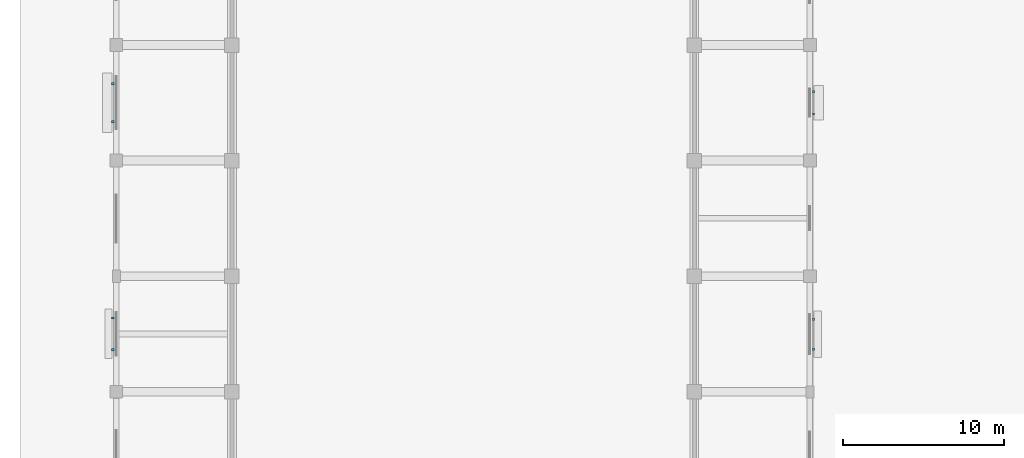
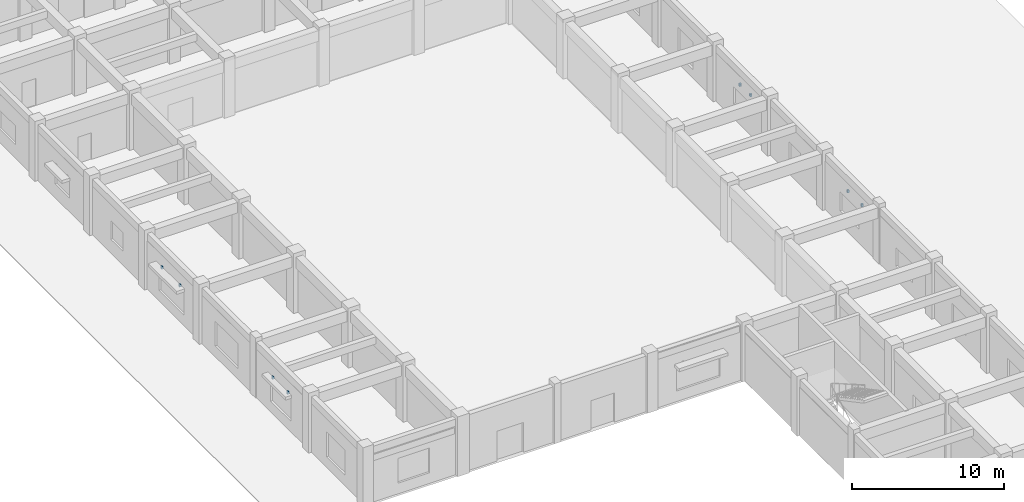
# One storey, part 28 of 37: 8 discrete accessories.
"""IFC4 building model written with IfcOpenShell, lengths in metres."""

from ifc_helpers import new_model, si_unit, direction, frame, origin, origin_2d, place, context, subcontext, project, spatial, rectangle, extrude, material, type_object, element, save


model = new_model("IFC4")

# Units and contexts
model_context = context("Model", 3, precision=1e-05, world=origin(), true_north=direction((0.0, 1.0)))
body_context = subcontext(model_context, "Body", "Model", "MODEL_VIEW")
ifc_project = project(units=[si_unit("LENGTHUNIT", "METRE"), si_unit("AREAUNIT", "SQUARE_METRE"), si_unit("VOLUMEUNIT", "CUBIC_METRE"), si_unit("PLANEANGLEUNIT", "RADIAN"), si_unit("MASSUNIT", "GRAM", prefix="KILO")], contexts=[model_context])

# Site, building, storey
site_placement = place(None, origin())
site = spatial("IfcSite", under=ifc_project, at=site_placement, CompositionType="ELEMENT")
building_placement = place(site_placement, origin())
building = spatial("IfcBuilding", under=site, at=building_placement, Name="Cendaluz Park School", CompositionType="ELEMENT")
storey_placement = place(building_placement, origin())
storey = spatial("IfcBuildingStorey", under=building, at=storey_placement, Name="L00", CompositionType="ELEMENT", Elevation=0.0)

# Discrete accessories
ifc_material = material(Name="Steel S355", Category="steel")
discrete_accessory_type = type_object("IfcDiscreteAccessoryType", Name="BK-01", PredefinedType="BRACKET", material=ifc_material)
for number, where, z_axis, x_axis, name in (
    (1, (-0.219970703125, 67.42041015625, 2.8798828125), (0.0, 0.0, 1.0), (0.0, 1.0, 0.0), "BK-L00-005"),
    (2, (-0.219970703125, 69.404541015625, 2.8798828125), (0.0, 0.0, 1.0), (0.0, 1.0, 0.0), "BK-L00-006"),
    (3, (-0.219970703125, 81.615966796875, 2.8798828125), (0.0, 0.0, 1.0), (0.0, 1.0, 0.0), "BK-L00-007"),
    (4, (-0.219970703125, 83.98388671875, 2.8798828125), (0.0, 0.0, 1.0), (0.0, 1.0, 0.0), "BK-L00-008"),
    (5, (43.419921875, 67.45947265625, 2.6298828125), (0.0, 0.0, 1.0), (0.0, 1.0, 0.0), "BK-L00-023"),
    (6, (43.419921875, 69.3154296875, 2.6298828125), (0.0, 0.0, 1.0), (0.0, 1.0, 0.0), "BK-L00-024"),
    (7, (43.419921875, 82.112060546875, 2.580078125), (0.0, 0.0, 1.0), (0.0, 1.0, 0.0), "BK-L00-025"),
    (8, (43.419921875, 83.488037109375, 2.580078125), (0.0, 0.0, 1.0), (0.0, 1.0, 0.0), "BK-L00-026"),
):
    element("IfcDiscreteAccessory", number, at=place(storey_placement, frame(where, z_axis=z_axis, x_axis=x_axis)), inside=storey, type_object=discrete_accessory_type, Name=name, PredefinedType="BRACKET", context=body_context, shape_type="SweptSolid", body=[
        extrude(rectangle(XDim=0.139892578125, YDim=0.139892578125, at=origin_2d()), origin(), (0.0, 0.0, 1.0), 0.219970703125),
    ])

save(model, "model.ifc")
